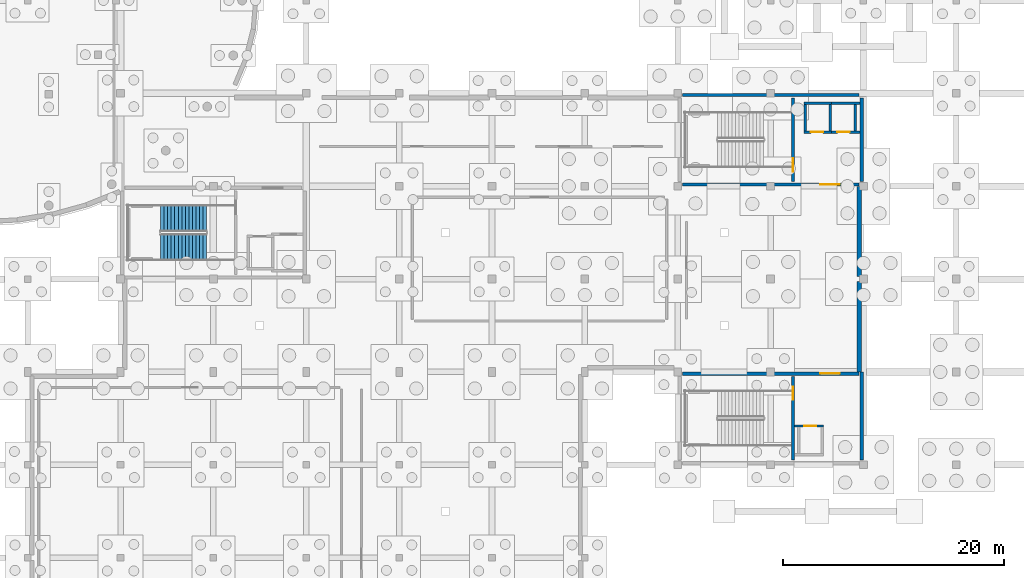
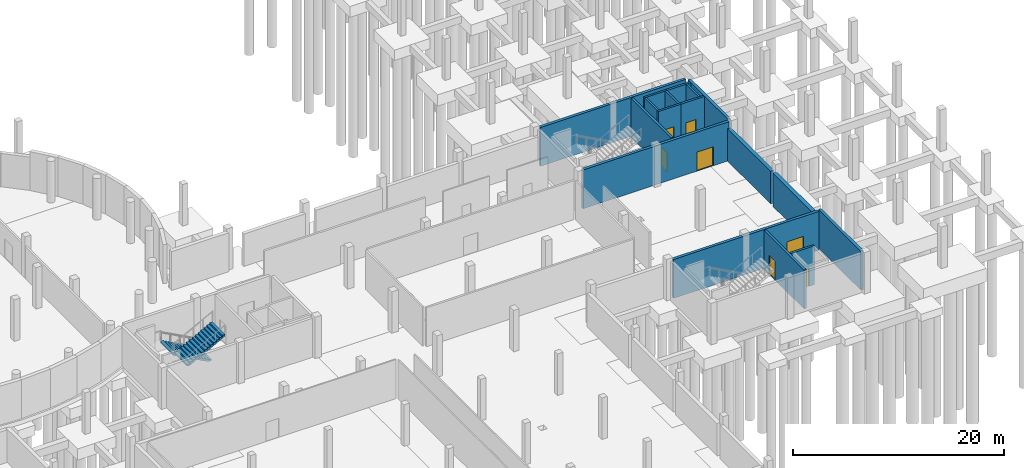
# One storey, part 18 of 24: 17 walls, 7 doors, 2 stair flights, 7 openings, 1 element without a shape of its own.
"""IFC4 building model written with IfcOpenShell, lengths in metres."""

from ifc_helpers import new_model, si_unit, derived_unit, direction, frame, frame_2d, origin, place, context, subcontext, project, spatial, polyline, rectangle, outline, extrude, material, layer, layer_set, type_object, element, fill, aggregate, save


model = new_model("IFC4")

# Units and contexts
model_context = context("Model", 3, precision=1e-05, world=origin(), true_north=direction((0.0, 1.0)))
body_context = subcontext(model_context, "Body", "Model", "MODEL_VIEW")
ifc_project = project(units=[si_unit("LENGTHUNIT", "METRE"), si_unit("AREAUNIT", "SQUARE_METRE"), si_unit("VOLUMEUNIT", "CUBIC_METRE"), si_unit("PLANEANGLEUNIT", "RADIAN"), si_unit("MASSUNIT", "GRAM", prefix="KILO"), derived_unit("THERMALTRANSMITTANCEUNIT", [(si_unit("POWERUNIT", "WATT"), 1), (si_unit("LENGTHUNIT", "METRE"), -2), (si_unit("THERMODYNAMICTEMPERATUREUNIT", "KELVIN"), -1)])], contexts=[model_context])

# Site, building, storey
site_placement = place(None, origin())
site = spatial("IfcSite", under=ifc_project, at=site_placement, CompositionType="ELEMENT")
building_placement = place(site_placement, origin())
building = spatial("IfcBuilding", under=site, at=building_placement, Name="Elbkamm Science Centre", CompositionType="ELEMENT")
storey_placement = place(building_placement, frame((0.0, 0.0, -4.800048828125)))
storey = spatial("IfcBuildingStorey", under=building, at=storey_placement, Name="B01", CompositionType="ELEMENT", Elevation=-4.800048828125)

# Wall, opening, door
ifc_material_1 = material(Name="Reinforced concrete C40/50", Category="concrete")
ifc_layer_1 = layer(ifc_material_1, 0.25)
ifc_layer_set_1 = layer_set([ifc_layer_1], Name="Reinforced concrete C40/50")
wall_type_1 = type_object("IfcWallType", Name="WL-CORE-250", PredefinedType="SHEAR", material=ifc_layer_set_1)
wall_1_placement = place(storey_placement, frame((136.419921875, 50.820068359375, 0.0), z_axis=(0.0, 0.0, 1.0), x_axis=(0.0, 1.0, 0.0)))
wall_1 = element("IfcWall", 1, at=wall_1_placement, inside=storey, type_object=wall_type_1, Name="B01 C3 Stairwell Compartment Wall", PredefinedType="SHEAR", context=body_context, shape_type="SweptSolid", body=[
    extrude(rectangle(XDim=7.559814453125, YDim=0.25, at=frame_2d((3.77978515625, 0.0))), origin(), (0.0, 0.0, 1.0), 4.5),
])
opening_1_placement = place(wall_1_placement, frame((0.89990234375, 0.0, 0.0)))
opening_1 = element("IfcOpeningElement", 2, at=opening_1_placement, cuts=wall_1, Name="Opening DC-02", PredefinedType="OPENING", context=body_context, shape_type="SweptSolid", body=[
    extrude(rectangle(XDim=1.199951171875, YDim=2.199951171875, at=frame_2d((0.60009765625, 1.10009765625))), frame((0.0, 0.136962890625, 0.0), z_axis=(0.0, -1.0, 0.0), x_axis=(1.0, 0.0, 0.0)), (0.0, 0.0, 1.0), 0.27392578125),
])
ifc_material_2 = material(Name="Fire-rated steel acoustic door", Category="steel")
ifc_layer_2 = layer(ifc_material_2, 0.050048828125)
ifc_layer_set_2 = layer_set([ifc_layer_2], Name="Fire-rated steel acoustic door")
door_type_1 = type_object("IfcDoorType", Name="DR-CORE-1200x2200", OperationType="NOTDEFINED", PredefinedType="DOOR", material=ifc_layer_set_2)
door_1_placement = place(opening_1_placement, origin())
door_1 = element("IfcDoor", 3, at=door_1_placement, inside=storey, type_object=door_type_1, Name="B01 ST-C3 Stairwell Fire Door", OperationType="SINGLE_SWING_LEFT", OverallHeight=2.199951171875, OverallWidth=1.199951171875, PredefinedType="DOOR", context=body_context, shape_type="SweptSolid", body=[
    extrude(rectangle(XDim=1.199951171875, YDim=2.199951171875, at=frame_2d((0.60009765625, 1.10009765625))), frame((0.0, 0.02490234375, 0.0), z_axis=(0.0, -1.0, 0.0), x_axis=(1.0, 0.0, 0.0)), (0.0, 0.0, 1.0), 0.050048828125),
])
fill(opening_1, door_1)

wall_2_placement = place(storey_placement, frame((136.419921875, 25.6201171875, 0.0), z_axis=(0.0, 0.0, 1.0), x_axis=(0.0, 1.0, 0.0)))
wall_2 = element("IfcWall", 4, at=wall_2_placement, inside=storey, type_object=wall_type_1, Name="B01 C4 Stairwell Compartment Wall", PredefinedType="SHEAR", context=body_context, shape_type="SweptSolid", body=[
    extrude(rectangle(XDim=7.559814453125, YDim=0.25, at=frame_2d((3.77978515625, 0.0))), origin(), (0.0, 0.0, 1.0), 4.5),
])
opening_2_placement = place(wall_2_placement, frame((5.4599609375, 0.0, 0.0)))
opening_2 = element("IfcOpeningElement", 5, at=opening_2_placement, cuts=wall_2, Name="Opening DC-02", PredefinedType="OPENING", context=body_context, shape_type="SweptSolid", body=[
    extrude(rectangle(XDim=1.199951171875, YDim=2.199951171875, at=frame_2d((0.60009765625, 1.10009765625))), frame((0.0, 0.136962890625, 0.0), z_axis=(0.0, -1.0, 0.0), x_axis=(1.0, 0.0, 0.0)), (0.0, 0.0, 1.0), 0.27392578125),
])
door_2_placement = place(opening_2_placement, origin())
door_2 = element("IfcDoor", 6, at=door_2_placement, inside=storey, type_object=door_type_1, Name="B01 ST-C4 Stairwell Fire Door", OperationType="SINGLE_SWING_RIGHT", OverallHeight=2.199951171875, OverallWidth=1.199951171875, PredefinedType="DOOR", context=body_context, shape_type="SweptSolid", body=[
    extrude(rectangle(XDim=1.199951171875, YDim=2.199951171875, at=frame_2d((0.60009765625, 1.10009765625))), frame((0.0, 0.02490234375, 0.0), z_axis=(0.0, -1.0, 0.0), x_axis=(1.0, 0.0, 0.0)), (0.0, 0.0, 1.0), 0.050048828125),
])
fill(opening_2, door_2)

ifc_layer_3 = layer(ifc_material_1, 0.300048828125)
ifc_layer_set_3 = layer_set([ifc_layer_3], Name="Reinforced concrete C40/50")
wall_type_2 = type_object("IfcWallType", Name="WL-CORE-300", PredefinedType="SHEAR", material=ifc_layer_set_3)
wall_3_placement = place(storey_placement, frame((126.449951171875, 50.550048828125, 0.0), z_axis=(0.0, 0.0, 1.0), x_axis=(1.0, 0.0, 0.0)))
wall_3 = element("IfcWall", 7, at=wall_3_placement, inside=storey, type_object=wall_type_2, Name="B01 Core C3 Northeast Laboratories and Observatory Core Shear Wall S", PredefinedType="SHEAR", context=body_context, shape_type="SweptSolid", body=[
    extrude(rectangle(XDim=15.929931640625, YDim=0.300048828125, at=frame_2d((7.96484375, 0.0))), origin(), (0.0, 0.0, 1.0), 4.5),
])
opening_3_placement = place(wall_3_placement, frame((12.429931640625, 0.0, 0.0)))
opening_3 = element("IfcOpeningElement", 8, at=opening_3_placement, cuts=wall_3, Name="Opening DC-01", PredefinedType="OPENING", context=body_context, shape_type="SweptSolid", body=[
    extrude(rectangle(XDim=1.800048828125, YDim=2.199951171875, at=frame_2d((0.89990234375, 1.10009765625))), frame((0.0, 0.162109375, 0.0), z_axis=(0.0, -1.0, 0.0), x_axis=(1.0, 0.0, 0.0)), (0.0, 0.0, 1.0), 0.323974609375),
])
ifc_layer_4 = layer(ifc_material_2, 0.050048828125)
ifc_layer_set_4 = layer_set([ifc_layer_4], Name="Fire-rated steel acoustic door")
door_type_2 = type_object("IfcDoorType", Name="DR-CORE-1800x2200", OperationType="DOUBLE_DOOR_SINGLE_SWING", PredefinedType="DOOR", material=ifc_layer_set_4)
door_3_placement = place(opening_3_placement, origin())
door_3 = element("IfcDoor", 9, at=door_3_placement, inside=storey, type_object=door_type_2, Name="B01 C3 Core Lobby Fire Door", OperationType="DOUBLE_DOOR_SINGLE_SWING", OverallHeight=2.199951171875, OverallWidth=1.800048828125, PredefinedType="DOOR", context=body_context, shape_type="SweptSolid", body=[
    extrude(rectangle(XDim=1.800048828125, YDim=2.199951171875, at=frame_2d((0.89990234375, 1.10009765625))), frame((0.0, 0.02490234375, 0.0), z_axis=(0.0, -1.0, 0.0), x_axis=(1.0, 0.0, 0.0)), (0.0, 0.0, 1.0), 0.050048828125),
])
fill(opening_3, door_3)

# Walls
wall_4_placement = place(storey_placement, frame((126.449951171875, 58.64990234375, 0.0), z_axis=(0.0, 0.0, 1.0), x_axis=(1.0, 0.0, 0.0)))
element("IfcWall", 10, at=wall_4_placement, inside=storey, type_object=wall_type_2, Name="B01 Core C3 Northeast Laboratories and Observatory Core Shear Wall N", PredefinedType="SHEAR", context=body_context, shape_type="SweptSolid", body=[
    extrude(rectangle(XDim=15.929931640625, YDim=0.300048828125, at=frame_2d((7.96484375, 0.0))), origin(), (0.0, 0.0, 1.0), 4.5),
])
wall_5_placement = place(storey_placement, frame((142.64990234375, 50.820068359375, 0.0), z_axis=(0.0, 0.0, 1.0), x_axis=(0.0, 1.0, 0.0)))
element("IfcWall", 11, at=wall_5_placement, inside=storey, type_object=wall_type_2, Name="B01 Core C3 Northeast Laboratories and Observatory Core Shear Wall E", PredefinedType="SHEAR", context=body_context, shape_type="SweptSolid", body=[
    extrude(rectangle(XDim=7.559814453125, YDim=0.300048828125, at=frame_2d((3.77978515625, 0.0))), origin(), (0.0, 0.0, 1.0), 4.5),
])

# Wall, opening, door
wall_6_placement = place(storey_placement, frame((126.449951171875, 33.449951171875, 0.0), z_axis=(0.0, 0.0, 1.0), x_axis=(1.0, 0.0, 0.0)))
wall_6 = element("IfcWall", 12, at=wall_6_placement, inside=storey, type_object=wall_type_2, Name="B01 Core C4 Southeast Workshops and Library Core Shear Wall N", PredefinedType="SHEAR", context=body_context, shape_type="SweptSolid", body=[
    extrude(rectangle(XDim=15.929931640625, YDim=0.300048828125, at=frame_2d((7.96484375, 0.0))), origin(), (0.0, 0.0, 1.0), 4.5),
])
opening_4_placement = place(wall_6_placement, frame((12.429931640625, 0.0, 0.0)))
opening_4 = element("IfcOpeningElement", 13, at=opening_4_placement, cuts=wall_6, Name="Opening DC-01", PredefinedType="OPENING", context=body_context, shape_type="SweptSolid", body=[
    extrude(rectangle(XDim=1.800048828125, YDim=2.199951171875, at=frame_2d((0.89990234375, 1.10009765625))), frame((0.0, 0.162109375, 0.0), z_axis=(0.0, -1.0, 0.0), x_axis=(1.0, 0.0, 0.0)), (0.0, 0.0, 1.0), 0.323974609375),
])
door_4_placement = place(opening_4_placement, origin())
door_4 = element("IfcDoor", 14, at=door_4_placement, inside=storey, type_object=door_type_2, Name="B01 C4 Core Lobby Fire Door", OperationType="DOUBLE_DOOR_SINGLE_SWING", OverallHeight=2.199951171875, OverallWidth=1.800048828125, PredefinedType="DOOR", context=body_context, shape_type="SweptSolid", body=[
    extrude(rectangle(XDim=1.800048828125, YDim=2.199951171875, at=frame_2d((0.89990234375, 1.10009765625))), frame((0.0, 0.02490234375, 0.0), z_axis=(0.0, -1.0, 0.0), x_axis=(1.0, 0.0, 0.0)), (0.0, 0.0, 1.0), 0.050048828125),
])
fill(opening_4, door_4)

# Walls
wall_7_placement = place(storey_placement, frame((142.64990234375, 25.6201171875, 0.0), z_axis=(0.0, 0.0, 1.0), x_axis=(0.0, 1.0, 0.0)))
element("IfcWall", 15, at=wall_7_placement, inside=storey, type_object=wall_type_2, Name="B01 Core C4 Southeast Workshops and Library Core Shear Wall E", PredefinedType="SHEAR", context=body_context, shape_type="SweptSolid", body=[
    extrude(rectangle(XDim=7.97998046875, YDim=0.300048828125, at=frame_2d((3.989990234375, 0.0))), origin(), (0.0, 0.0, 1.0), 4.5),
])
ifc_material_3 = material(Name="Waterproof concrete C35/45", Category="concrete")
ifc_layer_5 = layer(ifc_material_3, 0.3798828125)
ifc_layer_set_5 = layer_set([ifc_layer_5], Name="Waterproof concrete C35/45")
wall_type_3 = type_object("IfcWallType", Name="WL-RET-380", PredefinedType="USERDEFINED", material=ifc_layer_set_5)
wall_8_placement = place(storey_placement, frame((142.419921875, 50.385009765625, 0.0), z_axis=(0.0, 0.0, 1.0), x_axis=(0.0, -1.0, 0.0)))
element("IfcWall", 16, at=wall_8_placement, inside=storey, type_object=wall_type_3, Name="B01 Exterior Wall 0073", ObjectType="RETAININGWALL", PredefinedType="USERDEFINED", context=body_context, shape_type="SweptSolid", body=[
    extrude(rectangle(XDim=8.14599609375, YDim=0.3798828125, at=frame_2d((4.072998046875, 0.0))), origin(), (0.0, 0.0, 1.0), 3.75),
])
ifc_layer_6 = layer(ifc_material_3, 0.419921875)
ifc_layer_set_6 = layer_set([ifc_layer_6], Name="Waterproof concrete C35/45")
wall_type_4 = type_object("IfcWallType", Name="WL-RET-420", PredefinedType="USERDEFINED", material=ifc_layer_set_6)
wall_9_placement = place(storey_placement, frame((142.419921875, 41.760986328125, 0.0), z_axis=(0.0, 0.0, 1.0), x_axis=(0.0, -1.0, 0.0)))
element("IfcWall", 17, at=wall_9_placement, inside=storey, type_object=wall_type_4, Name="B01 Exterior Wall 0074", ObjectType="RETAININGWALL", PredefinedType="USERDEFINED", context=body_context, shape_type="SweptSolid", body=[
    extrude(rectangle(XDim=8.158935546875, YDim=0.419921875, at=frame_2d((4.07958984375, 0.0))), origin(), (0.0, 0.0, 1.0), 3.85009765625),
])
ifc_layer_7 = layer(ifc_material_1, 0.219970703125)
ifc_layer_set_7 = layer_set([ifc_layer_7], Name="Reinforced concrete C40/50")
wall_type_5 = type_object("IfcWallType", Name="WL-SHAFT-220", PredefinedType="SOLIDWALL", material=ifc_layer_set_7)
wall_10_placement = place(storey_placement, frame((137.5400390625, 55.39990234375, 0.0), z_axis=(0.0, 0.0, 1.0), x_axis=(0.0, 1.0, 0.0)))
element("IfcWall", 18, at=wall_10_placement, inside=storey, type_object=wall_type_5, Name="B01 Lift LP1 Shaft West Wall", PredefinedType="SOLIDWALL", context=body_context, shape_type="SweptSolid", body=[
    extrude(rectangle(XDim=2.400146484375, YDim=0.219970703125, at=frame_2d((1.2001953125, 0.0))), origin(), (0.0, 0.0, 1.0), 4.5),
])
wall_11_placement = place(storey_placement, frame((137.429931640625, 57.909912109375, 0.0), z_axis=(0.0, 0.0, 1.0), x_axis=(1.0, 0.0, 0.0)))
element("IfcWall", 19, at=wall_11_placement, inside=storey, type_object=wall_type_5, Name="B01 Lift LP1 Shaft Back Wall", PredefinedType="SOLIDWALL", context=body_context, shape_type="SweptSolid", body=[
    extrude(rectangle(XDim=2.47998046875, YDim=0.219970703125, at=frame_2d((1.239990234375, 0.0))), origin(), (0.0, 0.0, 1.0), 4.5),
])

# Wall, opening, door
wall_12_placement = place(storey_placement, frame((137.429931640625, 55.2900390625, 0.0), z_axis=(0.0, 0.0, 1.0), x_axis=(1.0, 0.0, 0.0)))
wall_12 = element("IfcWall", 20, at=wall_12_placement, inside=storey, type_object=wall_type_5, Name="B01 Lift LP1 Shaft Front Wall", PredefinedType="SOLIDWALL", context=body_context, shape_type="SweptSolid", body=[
    extrude(rectangle(XDim=2.47998046875, YDim=0.219970703125, at=frame_2d((1.239990234375, 0.0))), origin(), (0.0, 0.0, 1.0), 4.5),
])
opening_5_placement = place(wall_12_placement, frame((0.6201171875, 0.0, 0.0)))
opening_5 = element("IfcOpeningElement", 21, at=opening_5_placement, cuts=wall_12, Name="Opening LD-01", PredefinedType="OPENING", context=body_context, shape_type="SweptSolid", body=[
    extrude(rectangle(XDim=1.10009765625, YDim=2.14990234375, at=frame_2d((0.550048828125, 1.074951171875))), frame((0.0, 0.1220703125, 0.0), z_axis=(0.0, -1.0, 0.0), x_axis=(1.0, 0.0, 0.0)), (0.0, 0.0, 1.0), 0.243896484375),
])
ifc_material_4 = material(Name="Stainless steel lift landing door", Category="steel")
ifc_layer_8 = layer(ifc_material_4, 0.050048828125)
ifc_layer_set_8 = layer_set([ifc_layer_8], Name="Stainless steel lift landing door")
door_type_3 = type_object("IfcDoorType", Name="DR-LIFT-1100x2150", OperationType="DOUBLE_DOOR_SLIDING", PredefinedType="DOOR", material=ifc_layer_set_8)
door_5_placement = place(opening_5_placement, origin())
door_5 = element("IfcDoor", 22, at=door_5_placement, inside=storey, type_object=door_type_3, Name="B01 Lift LP1 Sliding Landing Door", OperationType="DOUBLE_DOOR_SLIDING", OverallHeight=2.14990234375, OverallWidth=1.10009765625, PredefinedType="DOOR", context=body_context, shape_type="SweptSolid", body=[
    extrude(rectangle(XDim=1.10009765625, YDim=2.14990234375, at=frame_2d((0.550048828125, 1.074951171875))), frame((0.0, 0.02490234375, 0.0), z_axis=(0.0, -1.0, 0.0), x_axis=(1.0, 0.0, 0.0)), (0.0, 0.0, 1.0), 0.050048828125),
])
fill(opening_5, door_5)

# Walls
for number, where, z_axis, x_axis, name in (
    (23, (139.800048828125, 55.39990234375, 0.0), (0.0, 0.0, 1.0), (0.0, 1.0, 0.0), "B01 Lift LP2 Shaft Divider Wall"),
    (24, (142.06005859375, 55.39990234375, 0.0), (0.0, 0.0, 1.0), (0.0, 1.0, 0.0), "B01 Lift LP2 Shaft East Wall"),
):
    element("IfcWall", number, at=place(storey_placement, frame(where, z_axis=z_axis, x_axis=x_axis)), inside=storey, type_object=wall_type_5, Name=name, PredefinedType="SOLIDWALL", context=body_context, shape_type="SweptSolid", body=[
        extrude(rectangle(XDim=2.400146484375, YDim=0.219970703125, at=frame_2d((1.2001953125, 0.0))), origin(), (0.0, 0.0, 1.0), 4.5),
    ])
wall_13_placement = place(storey_placement, frame((139.68994140625, 57.909912109375, 0.0), z_axis=(0.0, 0.0, 1.0), x_axis=(1.0, 0.0, 0.0)))
element("IfcWall", 25, at=wall_13_placement, inside=storey, type_object=wall_type_5, Name="B01 Lift LP2 Shaft Back Wall", PredefinedType="SOLIDWALL", context=body_context, shape_type="SweptSolid", body=[
    extrude(rectangle(XDim=2.81005859375, YDim=0.219970703125, at=frame_2d((1.405029296875, 0.0))), origin(), (0.0, 0.0, 1.0), 4.5),
])

# Wall, opening, door
wall_14_placement = place(storey_placement, frame((139.68994140625, 55.2900390625, 0.0), z_axis=(0.0, 0.0, 1.0), x_axis=(1.0, 0.0, 0.0)))
wall_14 = element("IfcWall", 26, at=wall_14_placement, inside=storey, type_object=wall_type_5, Name="B01 Lift LP2 Shaft Front Wall", PredefinedType="SOLIDWALL", context=body_context, shape_type="SweptSolid", body=[
    extrude(rectangle(XDim=2.81005859375, YDim=0.219970703125, at=frame_2d((1.405029296875, 0.0))), origin(), (0.0, 0.0, 1.0), 4.5),
])
opening_6_placement = place(wall_14_placement, frame((0.760009765625, 0.0, 0.0)))
opening_6 = element("IfcOpeningElement", 27, at=opening_6_placement, cuts=wall_14, Name="Opening LD-01", PredefinedType="OPENING", context=body_context, shape_type="SweptSolid", body=[
    extrude(rectangle(XDim=1.10009765625, YDim=2.14990234375, at=frame_2d((0.550048828125, 1.074951171875))), frame((0.0, 0.1220703125, 0.0), z_axis=(0.0, -1.0, 0.0), x_axis=(1.0, 0.0, 0.0)), (0.0, 0.0, 1.0), 0.243896484375),
])
door_6_placement = place(opening_6_placement, origin())
door_6 = element("IfcDoor", 28, at=door_6_placement, inside=storey, type_object=door_type_3, Name="B01 Lift LP2 Sliding Landing Door", OperationType="DOUBLE_DOOR_SLIDING", OverallHeight=2.14990234375, OverallWidth=1.10009765625, PredefinedType="DOOR", context=body_context, shape_type="SweptSolid", body=[
    extrude(rectangle(XDim=1.10009765625, YDim=2.14990234375, at=frame_2d((0.550048828125, 1.074951171875))), frame((0.0, 0.02490234375, 0.0), z_axis=(0.0, -1.0, 0.0), x_axis=(1.0, 0.0, 0.0)), (0.0, 0.0, 1.0), 0.050048828125),
])
fill(opening_6, door_6)

wall_15_placement = place(storey_placement, frame((136.56005859375, 28.7099609375, 0.0), z_axis=(0.0, 0.0, 1.0), x_axis=(1.0, 0.0, 0.0)))
wall_15 = element("IfcWall", 29, at=wall_15_placement, inside=storey, type_object=wall_type_5, Name="B01 Lift LP3 Shaft Front Wall", PredefinedType="SOLIDWALL", context=body_context, shape_type="SweptSolid", body=[
    extrude(rectangle(XDim=2.60986328125, YDim=0.219970703125, at=frame_2d((1.304931640625, 0.0))), origin(), (0.0, 0.0, 1.0), 4.5),
])
opening_7_placement = place(wall_15_placement, frame((0.889892578125, 0.0, 0.0)))
opening_7 = element("IfcOpeningElement", 30, at=opening_7_placement, cuts=wall_15, Name="Opening LD-01", PredefinedType="OPENING", context=body_context, shape_type="SweptSolid", body=[
    extrude(rectangle(XDim=1.10009765625, YDim=2.14990234375, at=frame_2d((0.550048828125, 1.074951171875))), frame((0.0, 0.1220703125, 0.0), z_axis=(0.0, -1.0, 0.0), x_axis=(1.0, 0.0, 0.0)), (0.0, 0.0, 1.0), 0.243896484375),
])
door_7_placement = place(opening_7_placement, origin())
door_7 = element("IfcDoor", 31, at=door_7_placement, inside=storey, type_object=door_type_3, Name="B01 Lift LP3 Sliding Landing Door", OperationType="DOUBLE_DOOR_SLIDING", OverallHeight=2.14990234375, OverallWidth=1.10009765625, PredefinedType="DOOR", context=body_context, shape_type="SweptSolid", body=[
    extrude(rectangle(XDim=1.10009765625, YDim=2.14990234375, at=frame_2d((0.550048828125, 1.074951171875))), frame((0.0, 0.02490234375, 0.0), z_axis=(0.0, -1.0, 0.0), x_axis=(1.0, 0.0, 0.0)), (0.0, 0.0, 1.0), 0.050048828125),
])
fill(opening_7, door_7)

# Stair, stair flights
stair_type = type_object("IfcStairType", Name="ST-TWO-28R-242", PredefinedType="USERDEFINED", material=ifc_material_1)
stair_placement = place(storey_placement, origin())
stair = element("IfcStair", 32, at=stair_placement, inside=storey, type_object=stair_type, Name="B01 Core C2 Central Exhibition and Skybridge Core Escape Stair", ObjectType="TWO_RETURN_STAIR", PredefinedType="USERDEFINED")
stair_flight_type = type_object("IfcStairFlightType", Name="FLT-14R-171MM-242", PredefinedType="STRAIGHT", material=ifc_material_1)
stair_flight_1_placement = place(storey_placement, frame((83.3798828125, 47.510009765625, 0.0), z_axis=(0.0, 0.0, 1.0), x_axis=(-1.0, 0.0, 0.0)))
stair_flight_1 = element("IfcStairFlight", 33, at=stair_flight_1_placement, type_object=stair_flight_type, Name="ST-C2 flight 1", NumberOfRisers=14, NumberOfTreads=13, PredefinedType="STRAIGHT", RiserHeight=0.171428571, TreadLength=0.32, context=body_context, shape_type="SweptSolid", body=[
    extrude(outline(polyline([(0.0, 0.0), (0.0, 0.17138671875), (0.320068359375, 0.17138671875), (0.320068359375, 0.3427734375), (0.639892578125, 0.3427734375), (0.639892578125, 0.514404296875), (0.9599609375, 0.514404296875), (0.9599609375, 0.685791015625), (1.280029296875, 0.685791015625), (1.280029296875, 0.857177734375), (1.60009765625, 0.857177734375), (1.60009765625, 1.028564453125), (1.919921875, 1.028564453125), (1.919921875, 1.199951171875), (2.239990234375, 1.199951171875), (2.239990234375, 1.371337890625), (2.56005859375, 1.371337890625), (2.56005859375, 1.54296875), (2.8798828125, 1.54296875), (2.8798828125, 1.71435546875), (3.199951171875, 1.71435546875), (3.199951171875, 1.8857421875), (3.52001953125, 1.8857421875), (3.52001953125, 2.05712890625), (3.840087890625, 2.05712890625), (3.840087890625, 2.228515625), (4.159912109375, 2.228515625), (4.159912109375, 2.39990234375), (4.159912109375, 2.047119140625), (0.338623046875, 0.0), (0.0, 0.0)])), frame((0.0, 1.2099609375, 0.0), z_axis=(0.0, -1.0, 0.0), x_axis=(1.0, 0.0, 0.0)), (0.0, 0.0, 1.0), 2.419921875),
])
stair_flight_2_placement = place(storey_placement, frame((79.219970703125, 44.889892578125, 2.400146484375), z_axis=(0.0, 0.0, 1.0), x_axis=(1.0, 0.0, 0.0)))
stair_flight_2 = element("IfcStairFlight", 34, at=stair_flight_2_placement, type_object=stair_flight_type, Name="ST-C2 flight 2", NumberOfRisers=14, NumberOfTreads=13, PredefinedType="STRAIGHT", RiserHeight=0.171428571, TreadLength=0.32, context=body_context, shape_type="SweptSolid", body=[
    extrude(outline(polyline([(0.0, 0.0), (0.0, 0.17138671875), (0.320068359375, 0.17138671875), (0.320068359375, 0.3427734375), (0.639892578125, 0.3427734375), (0.639892578125, 0.514404296875), (0.9599609375, 0.514404296875), (0.9599609375, 0.685791015625), (1.280029296875, 0.685791015625), (1.280029296875, 0.857177734375), (1.60009765625, 0.857177734375), (1.60009765625, 1.028564453125), (1.919921875, 1.028564453125), (1.919921875, 1.199951171875), (2.239990234375, 1.199951171875), (2.239990234375, 1.371337890625), (2.56005859375, 1.371337890625), (2.56005859375, 1.54296875), (2.8798828125, 1.54296875), (2.8798828125, 1.71435546875), (3.199951171875, 1.71435546875), (3.199951171875, 1.8857421875), (3.52001953125, 1.8857421875), (3.52001953125, 2.05712890625), (3.840087890625, 2.05712890625), (3.840087890625, 2.228515625), (4.159912109375, 2.228515625), (4.159912109375, 2.39990234375), (4.159912109375, 2.047119140625), (0.338623046875, 0.0), (0.0, 0.0)])), frame((0.0, 1.2099609375, 0.0), z_axis=(0.0, -1.0, 0.0), x_axis=(1.0, 0.0, 0.0)), (0.0, 0.0, 1.0), 2.419921875),
])
aggregate(stair, [stair_flight_1, stair_flight_2])

save(model, "model.ifc")
